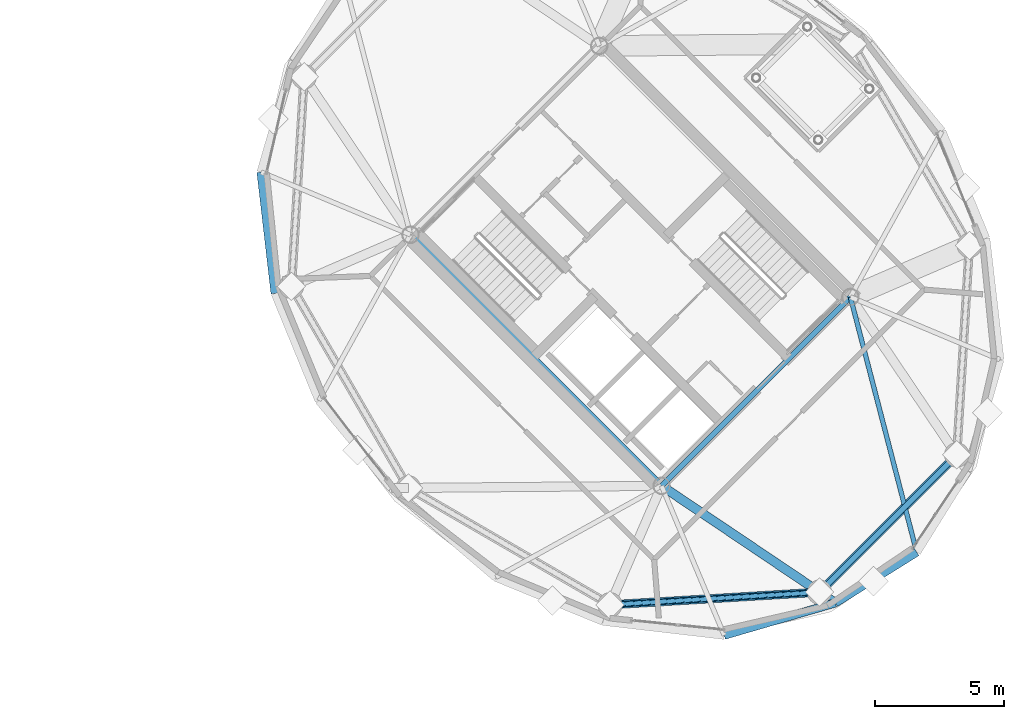
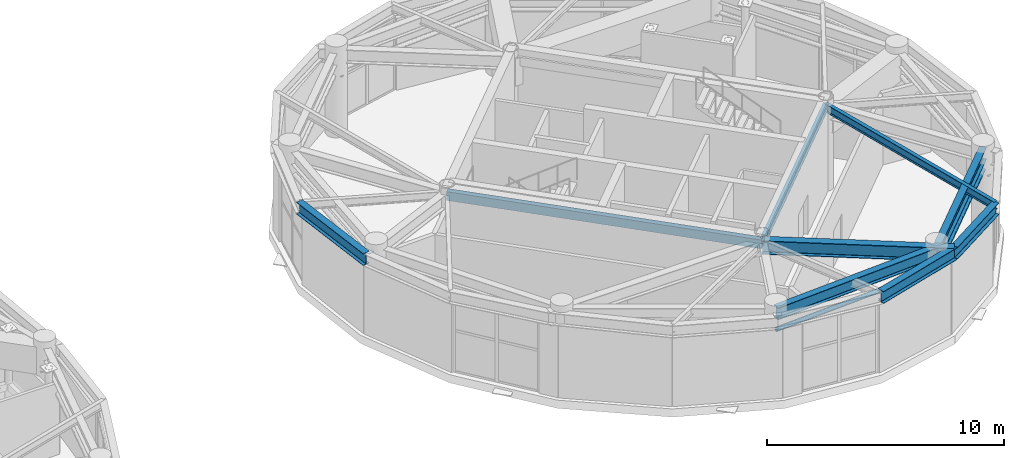
# One storey, part 14 of 28: 9 beams, 2 members.
"""IFC4 building model written with IfcOpenShell, lengths in metres."""

from ifc_helpers import new_model, si_unit, direction, frame, origin, origin_2d, place, context, subcontext, project, spatial, hollow_rectangle, hollow_circle, i_section, extrude, material, material_profile, profile_set, type_object, element, save


model = new_model("IFC4")

# Units and contexts
model_context = context("Model", 3, precision=1e-05, world=origin(), true_north=direction((0.0, 1.0)))
body_context = subcontext(model_context, "Body", "Model", "MODEL_VIEW")
ifc_project = project(units=[si_unit("LENGTHUNIT", "METRE"), si_unit("AREAUNIT", "SQUARE_METRE"), si_unit("VOLUMEUNIT", "CUBIC_METRE"), si_unit("PLANEANGLEUNIT", "RADIAN"), si_unit("MASSUNIT", "GRAM", prefix="KILO")], contexts=[model_context])

# Site, building, storey
site_placement = place(None, origin())
site = spatial("IfcSite", under=ifc_project, at=site_placement, CompositionType="ELEMENT")
building_placement = place(site_placement, origin())
building = spatial("IfcBuilding", under=site, at=building_placement, Name="Cununo Teusaquillo Station Towers", CompositionType="ELEMENT")
storey_placement = place(building_placement, frame((0.0, 0.0, 235.64990234375)))
storey = spatial("IfcBuildingStorey", under=building, at=storey_placement, Name="L75", CompositionType="ELEMENT", Elevation=235.64990234375)

# Beams
ifc_material_1 = material(Name="Steel EN 10025-2 S355J2", Category="steel")
ifc_material_profile_1 = material_profile(ifc_material_1, hollow_rectangle(XDim=0.25, YDim=0.449951171875, WallThickness=0.01611328125, at=origin_2d()), Name="RHS 450x250x16")
ifc_profile_set_1 = profile_set([ifc_material_profile_1], Name="Steel EN 10025-2 S355J2")
beam_type_1 = type_object("IfcBeamType", Name="BM-COUP-1", PredefinedType="USERDEFINED", material=ifc_profile_set_1)
beam_1_placement = place(storey_placement, frame((58.70556640625, 15.975830078125, 4.114990234375), z_axis=(-0.707106781187, 0.707106781187, 0.0), x_axis=(-0.707106781187, -0.707106781187, 0.0)))
element("IfcBeam", 1, at=beam_1_placement, inside=storey, type_object=beam_type_1, Name="L75 Tower B Core Beam 1", ObjectType="COUPLING BEAM", PredefinedType="USERDEFINED", context=body_context, shape_type="SweptSolid", body=[
    extrude(hollow_rectangle(XDim=0.25, YDim=0.449951171875, WallThickness=0.01611328125, at=origin_2d()), origin(), (0.0, 0.0, 1.0), 13.760009765625),
])
ifc_material_2 = material(Name="Steel ASTM A572 Grade 50", Category="steel")
ifc_material_profile_2 = material_profile(ifc_material_2, i_section(OverallWidth=0.180908203125, OverallDepth=0.4169921875, WebThickness=0.010986328125, FlangeThickness=0.018310546875, FilletRadius=0.012939453125, at=origin_2d()), Name="W16X57")
ifc_profile_set_2 = profile_set([ifc_material_profile_2], Name="Steel ASTM A572 Grade 50")
beam_type_2 = type_object("IfcBeamType", Name="BM-JOIST-1", PredefinedType="JOIST", material=ifc_profile_set_2)
beam_2_placement = place(storey_placement, frame((66.024169921875, 23.29443359375, 4.131591796875), z_axis=(0.251559992432, -0.967841707206, 0.0), x_axis=(0.967841707206, 0.251559992432, 0.0)))
element("IfcBeam", 2, at=beam_2_placement, inside=storey, type_object=beam_type_2, Name="L75 Tower B Radial Spandrel Joist V15", PredefinedType="JOIST", context=body_context, shape_type="SweptSolid", body=[
    extrude(i_section(OverallWidth=0.180908203125, OverallDepth=0.4169921875, WebThickness=0.010986328125, FlangeThickness=0.018310546875, FilletRadius=0.012939453125, at=origin_2d()), origin(), (0.0, 0.0, 1.0), 10.217529296875),
])
ifc_material_3 = material(Name="Steel ASTM A572 Grade 50", Category="steel")
ifc_material_profile_3 = material_profile(ifc_material_3, i_section(OverallWidth=0.2041015625, OverallDepth=0.35009765625, WebThickness=0.008544921875, FlangeThickness=0.01513671875, FilletRadius=0.011962890625, at=origin_2d()), Name="W14X48")
ifc_profile_set_3 = profile_set([ifc_material_profile_3], Name="Steel ASTM A572 Grade 50")
beam_type_3 = type_object("IfcBeamType", Name="BM-LINTEL-1", PredefinedType="LINTEL", material=ifc_profile_set_3)
beam_3_placement = place(storey_placement, frame((58.70556640625, 15.975830078125, 4.1650390625), z_axis=(0.707106781187, 0.707106781187, 0.0), x_axis=(-0.707106781187, 0.707106781187, 0.0)))
element("IfcBeam", 3, at=beam_3_placement, inside=storey, type_object=beam_type_3, Name="L75 Tower B Core Beam 3", PredefinedType="LINTEL", context=body_context, shape_type="SweptSolid", body=[
    extrude(i_section(OverallWidth=0.2041015625, OverallDepth=0.35009765625, WebThickness=0.008544921875, FlangeThickness=0.01513671875, FilletRadius=0.011962890625, at=origin_2d()), origin(), (0.0, 0.0, 1.0), 10.35009765625),
])
ifc_material_4 = material(Name="Steel ASTM A572 Grade 50", Category="steel")
ifc_material_profile_4 = material_profile(ifc_material_4, i_section(OverallWidth=0.35498046875, OverallDepth=0.696044921875, WebThickness=0.015380859375, FlangeThickness=0.02490234375, FilletRadius=0.01806640625, at=origin_2d()), Name="W27X146")
ifc_profile_set_4 = profile_set([ifc_material_profile_4], Name="Steel ASTM A572 Grade 50")
beam_type_4 = type_object("IfcBeamType", Name="BM-PLNT-G1", PredefinedType="BEAM", material=ifc_profile_set_4)
beam_4_placement = place(storey_placement, frame((58.70556640625, 15.975830078125, 3.9921875), z_axis=(0.829456817529, -0.558570844079, 0.0), x_axis=(0.558570844079, 0.829456817529, 0.0)))
element("IfcBeam", 4, at=beam_4_placement, inside=storey, type_object=beam_type_4, Name="L75 Tower B Continuous Overhanging Radial Girder 08", PredefinedType="BEAM", context=body_context, shape_type="SweptSolid", body=[
    extrude(i_section(OverallWidth=0.35498046875, OverallDepth=0.696044921875, WebThickness=0.015380859375, FlangeThickness=0.02490234375, FilletRadius=0.01806640625, at=origin_2d()), origin(), (0.0, 0.0, 1.0), 8.1240234375),
])
ifc_material_5 = material(Name="Steel ASTM A572 Grade 50", Category="steel")
ifc_material_profile_5 = material_profile(ifc_material_5, i_section(OverallWidth=0.324951171875, OverallDepth=0.615966796875, WebThickness=0.013916015625, FlangeThickness=0.021484375, FilletRadius=0.01611328125, at=origin_2d()), Name="W24X117")
ifc_profile_set_5 = profile_set([ifc_material_profile_5], Name="Steel ASTM A572 Grade 50")
beam_type_5 = type_object("IfcBeamType", Name="BM-PLNT-G2", PredefinedType="BEAM", material=ifc_profile_set_5)
beam_5_placement = place(storey_placement, frame((56.708984375, 11.36474609375, 4.031982421875), z_axis=(0.998190567048, 0.06012979176, 0.0), x_axis=(-0.06012979176, 0.998190567048, 0.0)))
element("IfcBeam", 5, at=beam_5_placement, inside=storey, type_object=beam_type_5, Name="L75 Tower B Structural Column Ring Girder 07", PredefinedType="BEAM", context=body_context, shape_type="SweptSolid", body=[
    extrude(i_section(OverallWidth=0.324951171875, OverallDepth=0.615966796875, WebThickness=0.013916015625, FlangeThickness=0.021484375, FilletRadius=0.01611328125, at=origin_2d()), origin(), (0.0, 0.0, 1.0), 8.132568359375),
])
beam_6_placement = place(storey_placement, frame((64.826904296875, 11.853759765625, 4.031982421875), z_axis=(0.707106781187, 0.707106781187, 0.0), x_axis=(-0.707106781187, 0.707106781187, 0.0)))
element("IfcBeam", 6, at=beam_6_placement, inside=storey, type_object=beam_type_5, Name="L75 Tower B Structural Column Ring Girder 08", PredefinedType="BEAM", context=body_context, shape_type="SweptSolid", body=[
    extrude(i_section(OverallWidth=0.324951171875, OverallDepth=0.615966796875, WebThickness=0.013916015625, FlangeThickness=0.021484375, FilletRadius=0.01611328125, at=origin_2d()), origin(), (0.0, 0.0, 1.0), 7.522705078125),
])
beam_7_placement = place(storey_placement, frame((43.18359375, 28.135009765625, 4.031982421875), z_axis=(0.115452326356, -0.993313022334, 0.0), x_axis=(0.993313022334, 0.115452326356, 0.0)))
element("IfcBeam", 7, at=beam_7_placement, inside=storey, type_object=beam_type_5, Name="L75 Tower B Spandrel Ring Beam 08", PredefinedType="BEAM", context=body_context, shape_type="SweptSolid", body=[
    extrude(i_section(OverallWidth=0.324951171875, OverallDepth=0.615966796875, WebThickness=0.013916015625, FlangeThickness=0.021484375, FilletRadius=0.01611328125, at=origin_2d()), origin(), (0.0, 0.0, 1.0), 4.732666015625),
])
beam_8_placement = place(storey_placement, frame((61.135009765625, 10.18359375, 4.031982421875), z_axis=(0.96014487762, 0.279502797802, 0.0), x_axis=(-0.279502797802, 0.96014487762, 0.0)))
element("IfcBeam", 8, at=beam_8_placement, inside=storey, type_object=beam_type_5, Name="L75 Tower B Spandrel Ring Beam 14", PredefinedType="BEAM", context=body_context, shape_type="SweptSolid", body=[
    extrude(i_section(OverallWidth=0.324951171875, OverallDepth=0.615966796875, WebThickness=0.013916015625, FlangeThickness=0.021484375, FilletRadius=0.01611328125, at=origin_2d()), origin(), (0.0, 0.0, 1.0), 4.488037109375),
])
beam_9_placement = place(storey_placement, frame((65.444091796875, 11.43798828125, 4.031982421875), z_axis=(0.848175505099, 0.529715312739, 0.0), x_axis=(-0.529715312739, 0.848175505099, 0.0)))
element("IfcBeam", 9, at=beam_9_placement, inside=storey, type_object=beam_type_5, Name="L75 Tower B Spandrel Ring Beam 15", PredefinedType="BEAM", context=body_context, shape_type="SweptSolid", body=[
    extrude(i_section(OverallWidth=0.324951171875, OverallDepth=0.615966796875, WebThickness=0.013916015625, FlangeThickness=0.021484375, FilletRadius=0.01611328125, at=origin_2d()), origin(), (0.0, 0.0, 1.0), 3.71435546875),
])

# Members
ifc_material_6 = material(Name="Steel EN 10025-2 S355J2", Category="steel")
ifc_material_profile_6 = material_profile(ifc_material_6, hollow_circle(Radius=0.109619140625, WallThickness=0.010009765625, at=origin_2d()), Name="CHS 219x10")
ifc_profile_set_6 = profile_set([ifc_material_profile_6], Name="Steel EN 10025-2 S355J2")
member_type = type_object("IfcMemberType", Name="MBR-DRUM-COL", PredefinedType="COLLAR", material=ifc_profile_set_6)
member_1_placement = place(storey_placement, frame((56.708984375, 11.36474609375, 3.150146484375), z_axis=(0.998190567048, 0.06012979176, 0.0), x_axis=(-0.06012979176, 0.998190567048, 0.0)))
element("IfcMember", 10, at=member_1_placement, inside=storey, type_object=member_type, Name="L75 Tower B Crown Drum Collar 07", PredefinedType="COLLAR", context=body_context, shape_type="SweptSolid", body=[
    extrude(hollow_circle(Radius=0.109619140625, WallThickness=0.010009765625, at=origin_2d()), origin(), (0.0, 0.0, 1.0), 8.132568359375),
])
member_2_placement = place(storey_placement, frame((64.826904296875, 11.853759765625, 3.150146484375), z_axis=(0.707106781187, 0.707106781187, 0.0), x_axis=(-0.707106781187, 0.707106781187, 0.0)))
element("IfcMember", 11, at=member_2_placement, inside=storey, type_object=member_type, Name="L75 Tower B Crown Drum Collar 08", PredefinedType="COLLAR", context=body_context, shape_type="SweptSolid", body=[
    extrude(hollow_circle(Radius=0.109619140625, WallThickness=0.010009765625, at=origin_2d()), origin(), (0.0, 0.0, 1.0), 7.522705078125),
])

save(model, "model.ifc")
